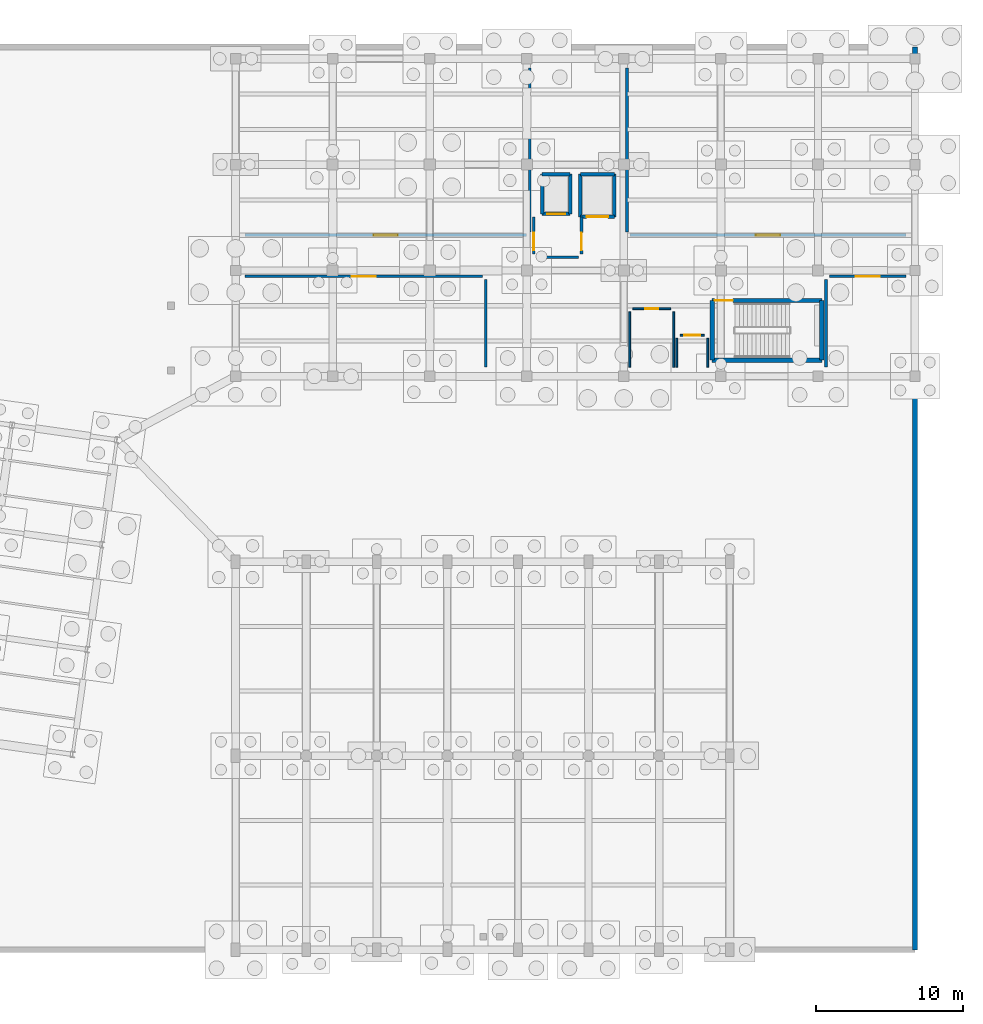
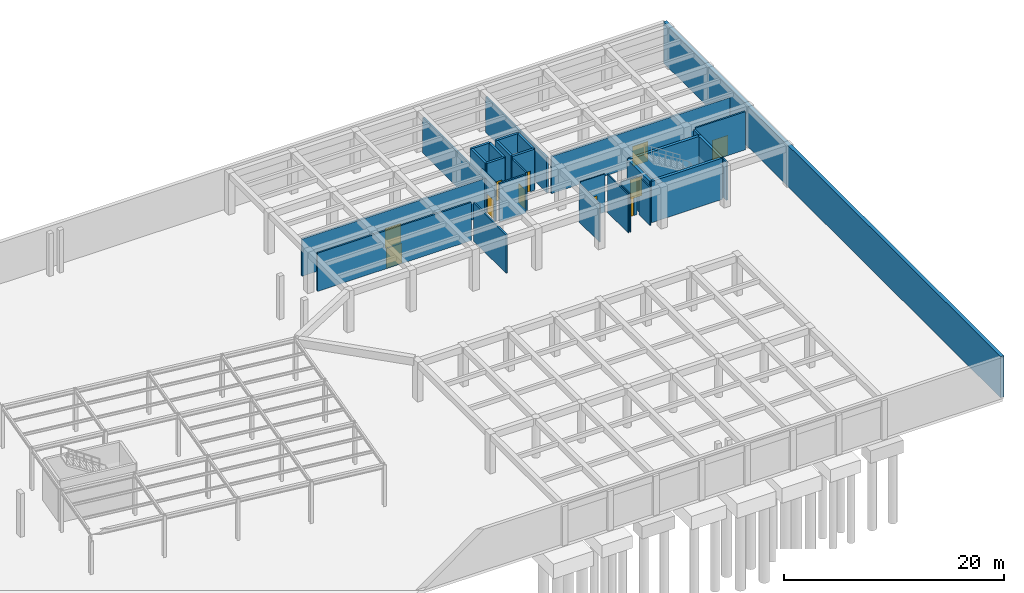
# One storey, part 27 of 34: 30 walls, 11 doors, 11 openings.
"""IFC4 building model written with IfcOpenShell, lengths in metres."""

from ifc_helpers import new_model, si_unit, direction, frame, frame_2d, origin, place, context, subcontext, project, spatial, rectangle, extrude, material, layer, layer_set, type_object, element, fill, save


model = new_model("IFC4")

# Units and contexts
model_context = context("Model", 3, precision=1e-05, world=origin(), true_north=direction((0.0, 1.0)))
body_context = subcontext(model_context, "Body", "Model", "MODEL_VIEW")
ifc_project = project(units=[si_unit("LENGTHUNIT", "METRE"), si_unit("AREAUNIT", "SQUARE_METRE"), si_unit("VOLUMEUNIT", "CUBIC_METRE"), si_unit("PLANEANGLEUNIT", "RADIAN"), si_unit("MASSUNIT", "GRAM", prefix="KILO")], contexts=[model_context])

# Site, building, storey
site_placement = place(None, origin())
site = spatial("IfcSite", under=ifc_project, at=site_placement, CompositionType="ELEMENT")
building_placement = place(site_placement, origin())
building = spatial("IfcBuilding", under=site, at=building_placement, Name="Kharisveld Research Institute", CompositionType="ELEMENT")
storey_placement = place(building_placement, frame((0.0, 0.0, -4.800048828125)))
storey = spatial("IfcBuildingStorey", under=building, at=storey_placement, Name="B1", CompositionType="ELEMENT", Elevation=-4.800048828125)

# Walls
ifc_material_1 = material(Name="Concrete C40/50", Category="concrete")
ifc_layer_1 = layer(ifc_material_1, 0.239990234375)
ifc_layer_set_1 = layer_set([ifc_layer_1], Name="WL_CORE_240")
wall_type_1 = type_object("IfcWallType", Name="WL_CORE_240", PredefinedType="SHEAR", material=ifc_layer_set_1)
wall_1_placement = place(storey_placement, frame((135.449951171875, 50.25, 0.0), z_axis=(0.0, 0.0, 1.0), x_axis=(0.0, 1.0, 0.0)))
element("IfcWall", 1, at=wall_1_placement, inside=storey, type_object=wall_type_1, Name="WL:LFT:FFL-02:B1:W", PredefinedType="SHEAR", context=body_context, shape_type="SweptSolid", body=[
    extrude(rectangle(XDim=2.699951171875, YDim=0.239990234375, at=frame_2d((1.35009765625, 0.0))), origin(), (0.0, 0.0, 1.0), 4.580078125),
])
wall_2_placement = place(storey_placement, frame((135.449951171875, 52.949951171875, 0.0), z_axis=(0.0, 0.0, 1.0), x_axis=(1.0, 0.0, 0.0)))
element("IfcWall", 2, at=wall_2_placement, inside=storey, type_object=wall_type_1, Name="WL:LFT:FFL-02:B1:N", PredefinedType="SHEAR", context=body_context, shape_type="SweptSolid", body=[
    extrude(rectangle(XDim=1.900146484375, YDim=0.239990234375, at=frame_2d((0.9501953125, 0.0))), origin(), (0.0, 0.0, 1.0), 4.580078125),
])
wall_3_placement = place(storey_placement, frame((137.35009765625, 52.949951171875, 0.0), z_axis=(0.0, 0.0, 1.0), x_axis=(0.0, -1.0, 0.0)))
element("IfcWall", 3, at=wall_3_placement, inside=storey, type_object=wall_type_1, Name="WL:LFT:FFL-02:B1:E", PredefinedType="SHEAR", context=body_context, shape_type="SweptSolid", body=[
    extrude(rectangle(XDim=2.699951171875, YDim=0.239990234375, at=frame_2d((1.35009765625, 0.0))), origin(), (0.0, 0.0, 1.0), 4.580078125),
])

# Wall, opening, door
wall_4_placement = place(storey_placement, frame((137.35009765625, 50.25, 0.0), z_axis=(0.0, 0.0, 1.0), x_axis=(-1.0, 0.0, 0.0)))
wall_4 = element("IfcWall", 4, at=wall_4_placement, inside=storey, type_object=wall_type_1, Name="WL:LFT:FFL-02:B1:S", PredefinedType="SHEAR", context=body_context, shape_type="SweptSolid", body=[
    extrude(rectangle(XDim=1.900146484375, YDim=0.239990234375, at=frame_2d((0.9501953125, 0.0))), origin(), (0.0, 0.0, 1.0), 4.580078125),
])
opening_1_placement = place(wall_4_placement, frame((0.324951171875, 0.0, 0.0)))
opening_1 = element("IfcOpeningElement", 5, at=opening_1_placement, cuts=wall_4, Name="Opening LD-02", PredefinedType="OPENING", context=body_context, shape_type="SweptSolid", body=[
    extrude(rectangle(XDim=1.25, YDim=2.199951171875, at=frame_2d((0.625, 1.10009765625))), frame((0.0, 0.1201171875, 0.0), z_axis=(0.0, -1.0, 0.0), x_axis=(1.0, 0.0, 0.0)), (0.0, 0.0, 1.0), 0.239990234375),
])
ifc_material_2 = material(Name="Flush Painted Hardwood and Anodised Aluminium", Category="wood")
door_type_1 = type_object("IfcDoorType", Name="DR_LFT_125", OperationType="SLIDING_TO_RIGHT", PredefinedType="DOOR", material=ifc_material_2)
door_1_placement = place(opening_1_placement, origin())
door_1 = element("IfcDoor", 6, at=door_1_placement, inside=storey, type_object=door_type_1, Name="FFL-02 Lift Landing Door B1", OperationType="SLIDING_TO_RIGHT", OverallHeight=2.199951171875, OverallWidth=1.25, PredefinedType="DOOR", context=body_context, shape_type="SweptSolid", body=[
    extrude(rectangle(XDim=1.25, YDim=2.199951171875, at=frame_2d((0.625, 1.10009765625))), frame((0.0, 0.02490234375, 0.0), z_axis=(0.0, -1.0, 0.0), x_axis=(1.0, 0.0, 0.0)), (0.0, 0.0, 1.0), 0.050048828125),
])
fill(opening_1, door_1)

# Walls
wall_5_placement = place(storey_placement, frame((138.050048828125, 50.050048828125, 0.0), z_axis=(0.0, 0.0, 1.0), x_axis=(0.0, 1.0, 0.0)))
element("IfcWall", 7, at=wall_5_placement, inside=storey, type_object=wall_type_1, Name="WL:LFT:GL-01:B1:W", PredefinedType="SHEAR", context=body_context, shape_type="SweptSolid", body=[
    extrude(rectangle(XDim=2.89990234375, YDim=0.239990234375, at=frame_2d((1.449951171875, 0.0))), origin(), (0.0, 0.0, 1.0), 4.580078125),
])
wall_6_placement = place(storey_placement, frame((138.050048828125, 52.949951171875, 0.0), z_axis=(0.0, 0.0, 1.0), x_axis=(1.0, 0.0, 0.0)))
element("IfcWall", 8, at=wall_6_placement, inside=storey, type_object=wall_type_1, Name="WL:LFT:GL-01:B1:N", PredefinedType="SHEAR", context=body_context, shape_type="SweptSolid", body=[
    extrude(rectangle(XDim=2.300048828125, YDim=0.239990234375, at=frame_2d((1.14990234375, 0.0))), origin(), (0.0, 0.0, 1.0), 4.580078125),
])
wall_7_placement = place(storey_placement, frame((140.35009765625, 52.949951171875, 0.0), z_axis=(0.0, 0.0, 1.0), x_axis=(0.0, -1.0, 0.0)))
element("IfcWall", 9, at=wall_7_placement, inside=storey, type_object=wall_type_1, Name="WL:LFT:GL-01:B1:E", PredefinedType="SHEAR", context=body_context, shape_type="SweptSolid", body=[
    extrude(rectangle(XDim=2.89990234375, YDim=0.239990234375, at=frame_2d((1.449951171875, 0.0))), origin(), (0.0, 0.0, 1.0), 4.580078125),
])

# Wall, opening, door
wall_8_placement = place(storey_placement, frame((140.35009765625, 50.050048828125, 0.0), z_axis=(0.0, 0.0, 1.0), x_axis=(-1.0, 0.0, 0.0)))
wall_8 = element("IfcWall", 10, at=wall_8_placement, inside=storey, type_object=wall_type_1, Name="WL:LFT:GL-01:B1:S", PredefinedType="SHEAR", context=body_context, shape_type="SweptSolid", body=[
    extrude(rectangle(XDim=2.300048828125, YDim=0.239990234375, at=frame_2d((1.14990234375, 0.0))), origin(), (0.0, 0.0, 1.0), 4.580078125),
])
opening_2_placement = place(wall_8_placement, frame((0.425048828125, 0.0, 0.0)))
opening_2 = element("IfcOpeningElement", 11, at=opening_2_placement, cuts=wall_8, Name="Opening LD-03", PredefinedType="OPENING", context=body_context, shape_type="SweptSolid", body=[
    extrude(rectangle(XDim=1.449951171875, YDim=2.300048828125, at=frame_2d((0.72509765625, 1.14990234375))), frame((0.0, 0.1201171875, 0.0), z_axis=(0.0, -1.0, 0.0), x_axis=(1.0, 0.0, 0.0)), (0.0, 0.0, 1.0), 0.239990234375),
])
ifc_material_3 = material(Name="Flush Painted Hardwood and Anodised Aluminium", Category="wood")
door_type_2 = type_object("IfcDoorType", Name="DR_LFT_145", OperationType="DOUBLE_DOOR_SLIDING", PredefinedType="DOOR", material=ifc_material_3)
door_2_placement = place(opening_2_placement, origin())
door_2 = element("IfcDoor", 12, at=door_2_placement, inside=storey, type_object=door_type_2, Name="GL-01 Lift Landing Door B1", OperationType="DOUBLE_DOOR_SLIDING", OverallHeight=2.300048828125, OverallWidth=1.449951171875, PredefinedType="DOOR", context=body_context, shape_type="SweptSolid", body=[
    extrude(rectangle(XDim=1.449951171875, YDim=2.300048828125, at=frame_2d((0.72509765625, 1.14990234375))), frame((0.0, 0.02490234375, 0.0), z_axis=(0.0, -1.0, 0.0), x_axis=(1.0, 0.0, 0.0)), (0.0, 0.0, 1.0), 0.050048828125),
])
fill(opening_2, door_2)

# Wall
ifc_material_4 = material(Name="Concrete C40/50", Category="concrete")
ifc_layer_2 = layer(ifc_material_4, 0.300048828125)
ifc_layer_set_2 = layer_set([ifc_layer_2], Name="WL_CORE_300")
wall_type_2 = type_object("IfcWallType", Name="WL_CORE_300", PredefinedType="SHEAR", material=ifc_layer_set_2)
wall_9_placement = place(storey_placement, frame((147.0, 40.300048828125, 0.0), z_axis=(0.0, 0.0, 1.0), x_axis=(0.0, 1.0, 0.0)))
element("IfcWall", 13, at=wall_9_placement, inside=storey, type_object=wall_type_2, Name="WL:STR:ST3:B1:W", PredefinedType="SHEAR", context=body_context, shape_type="SweptSolid", body=[
    extrude(rectangle(XDim=4.06005859375, YDim=0.300048828125, at=frame_2d((2.030029296875, 0.0))), origin(), (0.0, 0.0, 1.0), 4.580078125),
])

# Wall, opening, door
wall_10_placement = place(storey_placement, frame((147.0, 44.360107421875, 0.0), z_axis=(0.0, 0.0, 1.0), x_axis=(1.0, 0.0, 0.0)))
wall_10 = element("IfcWall", 14, at=wall_10_placement, inside=storey, type_object=wall_type_2, Name="WL:STR:ST3:B1:N", PredefinedType="SHEAR", context=body_context, shape_type="SweptSolid", body=[
    extrude(rectangle(XDim=7.469970703125, YDim=0.300048828125, at=frame_2d((3.73486328125, 0.0))), origin(), (0.0, 0.0, 1.0), 4.580078125),
])
opening_3_placement = place(wall_10_placement, frame((0.179931640625, 0.0, 0.0)))
opening_3 = element("IfcOpeningElement", 15, at=opening_3_placement, cuts=wall_10, Name="Opening DS-027", PredefinedType="OPENING", context=body_context, shape_type="SweptSolid", body=[
    extrude(rectangle(XDim=1.239990234375, YDim=2.14990234375, at=frame_2d((0.6201171875, 1.074951171875))), frame((0.0, 0.14990234375, 0.0), z_axis=(0.0, -1.0, 0.0), x_axis=(1.0, 0.0, 0.0)), (0.0, 0.0, 1.0), 0.300048828125),
])
ifc_material_5 = material(Name="Flush Painted Hardwood and Anodised Aluminium", Category="wood")
door_type_3 = type_object("IfcDoorType", Name="DR_FD60_124", OperationType="NOTDEFINED", PredefinedType="DOOR", material=ifc_material_5)
door_3_placement = place(opening_3_placement, origin())
door_3 = element("IfcDoor", 16, at=door_3_placement, inside=storey, type_object=door_type_3, Name="DR:STR:ST3:B1", OperationType="SINGLE_SWING_RIGHT", OverallHeight=2.14990234375, OverallWidth=1.239990234375, PredefinedType="DOOR", context=body_context, shape_type="SweptSolid", body=[
    extrude(rectangle(XDim=1.239990234375, YDim=2.14990234375, at=frame_2d((0.6201171875, 1.074951171875))), frame((0.0, 0.02490234375, 0.0), z_axis=(0.0, -1.0, 0.0), x_axis=(1.0, 0.0, 0.0)), (0.0, 0.0, 1.0), 0.050048828125),
])
fill(opening_3, door_3)

# Walls
wall_11_placement = place(storey_placement, frame((154.469970703125, 44.360107421875, 0.0), z_axis=(0.0, 0.0, 1.0), x_axis=(0.0, -1.0, 0.0)))
element("IfcWall", 17, at=wall_11_placement, inside=storey, type_object=wall_type_2, Name="WL:STR:ST3:B1:E", PredefinedType="SHEAR", context=body_context, shape_type="SweptSolid", body=[
    extrude(rectangle(XDim=4.06005859375, YDim=0.300048828125, at=frame_2d((2.030029296875, 0.0))), origin(), (0.0, 0.0, 1.0), 4.580078125),
])
wall_12_placement = place(storey_placement, frame((154.469970703125, 40.300048828125, 0.0), z_axis=(0.0, 0.0, 1.0), x_axis=(-1.0, 0.0, 0.0)))
element("IfcWall", 18, at=wall_12_placement, inside=storey, type_object=wall_type_2, Name="WL:STR:ST3:B1:S", PredefinedType="SHEAR", context=body_context, shape_type="SweptSolid", body=[
    extrude(rectangle(XDim=7.469970703125, YDim=0.300048828125, at=frame_2d((3.73486328125, 0.0))), origin(), (0.0, 0.0, 1.0), 4.580078125),
])
ifc_material_6 = material(Name="Masonry Blockwork", Category="masonry")
ifc_layer_3 = layer(ifc_material_6, 0.18505859375)
ifc_layer_set_3 = layer_set([ifc_layer_3], Name="WL_LOB_185")
wall_type_3 = type_object("IfcWallType", Name="WL_LOB_185", PredefinedType="SOLIDWALL", material=ifc_layer_set_3)
wall_13_placement = place(storey_placement, frame((135.10009765625, 47.300048828125, 0.0), z_axis=(0.0, 0.0, 1.0), x_axis=(1.0, 0.0, 0.0)))
element("IfcWall", 19, at=wall_13_placement, inside=storey, type_object=wall_type_3, Name="WL:RM:V2:B1:FFL:S", PredefinedType="SOLIDWALL", context=body_context, shape_type="SweptSolid", body=[
    extrude(rectangle(XDim=2.7998046875, YDim=0.18505859375, at=frame_2d((1.39990234375, 0.0))), origin(), (0.0, 0.0, 1.0), 4.25),
])

# Wall, opening, door
wall_14_placement = place(storey_placement, frame((138.1201171875, 47.52001953125, 0.0), z_axis=(0.0, 0.0, 1.0), x_axis=(0.0, 1.0, 0.0)))
wall_14 = element("IfcWall", 20, at=wall_14_placement, inside=storey, type_object=wall_type_3, Name="WL:RM:V2:B1:FFL:E", PredefinedType="SOLIDWALL", context=body_context, shape_type="SweptSolid", body=[
    extrude(rectangle(XDim=2.510009765625, YDim=0.18505859375, at=frame_2d((1.2548828125, 0.0))), origin(), (0.0, 0.0, 1.0), 4.25),
])
opening_4_placement = place(wall_14_placement, frame((0.25, 0.0, 0.0)))
opening_4 = element("IfcOpeningElement", 21, at=opening_4_placement, cuts=wall_14, Name="Opening DI-176", PredefinedType="OPENING", context=body_context, shape_type="SweptSolid", body=[
    extrude(rectangle(XDim=1.199951171875, YDim=2.14990234375, at=frame_2d((0.60009765625, 1.074951171875))), frame((0.0, 0.092529296875, 0.0), z_axis=(0.0, -1.0, 0.0), x_axis=(1.0, 0.0, 0.0)), (0.0, 0.0, 1.0), 0.18505859375),
])
ifc_material_7 = material(Name="Flush Painted Hardwood and Anodised Aluminium", Category="wood")
door_type_4 = type_object("IfcDoorType", Name="DR_FD120_120", OperationType="NOTDEFINED", PredefinedType="DOOR", material=ifc_material_7)
door_4_placement = place(opening_4_placement, origin())
door_4 = element("IfcDoor", 22, at=door_4_placement, inside=storey, type_object=door_type_4, Name="DR:RM:V2:B1:FFL:E", OperationType="SINGLE_SWING_RIGHT", OverallHeight=2.14990234375, OverallWidth=1.199951171875, PredefinedType="DOOR", context=body_context, shape_type="SweptSolid", body=[
    extrude(rectangle(XDim=1.199951171875, YDim=2.14990234375, at=frame_2d((0.60009765625, 1.074951171875))), frame((0.0, 0.02490234375, 0.0), z_axis=(0.0, -1.0, 0.0), x_axis=(1.0, 0.0, 0.0)), (0.0, 0.0, 1.0), 0.050048828125),
])
fill(opening_4, door_4)

wall_15_placement = place(storey_placement, frame((134.8798828125, 50.030029296875, 0.0), z_axis=(0.0, 0.0, 1.0), x_axis=(0.0, -1.0, 0.0)))
wall_15 = element("IfcWall", 23, at=wall_15_placement, inside=storey, type_object=wall_type_3, Name="WL:RM:V2:B1:FFL:W", PredefinedType="SOLIDWALL", context=body_context, shape_type="SweptSolid", body=[
    extrude(rectangle(XDim=2.510009765625, YDim=0.18505859375, at=frame_2d((1.2548828125, 0.0))), origin(), (0.0, 0.0, 1.0), 4.25),
])
opening_5_placement = place(wall_15_placement, frame((1.06005859375, 0.0, 0.0)))
opening_5 = element("IfcOpeningElement", 24, at=opening_5_placement, cuts=wall_15, Name="Opening DI-177", PredefinedType="OPENING", context=body_context, shape_type="SweptSolid", body=[
    extrude(rectangle(XDim=1.199951171875, YDim=2.14990234375, at=frame_2d((0.60009765625, 1.074951171875))), frame((0.0, 0.092529296875, 0.0), z_axis=(0.0, -1.0, 0.0), x_axis=(1.0, 0.0, 0.0)), (0.0, 0.0, 1.0), 0.18505859375),
])
door_5_placement = place(opening_5_placement, origin())
door_5 = element("IfcDoor", 25, at=door_5_placement, inside=storey, type_object=door_type_4, Name="DR:RM:V2:B1:FFL:W", OperationType="SINGLE_SWING_LEFT", OverallHeight=2.14990234375, OverallWidth=1.199951171875, PredefinedType="DOOR", context=body_context, shape_type="SweptSolid", body=[
    extrude(rectangle(XDim=1.199951171875, YDim=2.14990234375, at=frame_2d((0.60009765625, 1.074951171875))), frame((0.0, 0.02490234375, 0.0), z_axis=(0.0, -1.0, 0.0), x_axis=(1.0, 0.0, 0.0)), (0.0, 0.0, 1.0), 0.050048828125),
])
fill(opening_5, door_5)

# Wall
ifc_material_8 = material(Name="Concrete C35/45", Category="concrete")
ifc_layer_4 = layer(ifc_material_8, 0.360107421875)
ifc_layer_set_4 = layer_set([ifc_layer_4], Name="WL_RET_360")
wall_type_4 = type_object("IfcWallType", Name="WL_RET_360", PredefinedType="USERDEFINED", material=ifc_layer_set_4)
wall_16_placement = place(storey_placement, frame((160.800048828125, 61.60009765625, 0.0), z_axis=(0.0, 0.0, 1.0), x_axis=(0.0, -1.0, 0.0)))
element("IfcWall", 26, at=wall_16_placement, inside=storey, type_object=wall_type_4, Name="WL:B1:RET_EAST", ObjectType="RETAINING WALL", PredefinedType="USERDEFINED", context=body_context, shape_type="SweptSolid", body=[
    extrude(rectangle(XDim=61.400146484375, YDim=0.360107421875, at=frame_2d((30.7001953125, 0.0))), origin(), (0.0, 0.0, 1.0), 4.580078125),
])

# Wall, opening, door
ifc_material_9 = material(Name="Concrete C35/45", Category="concrete")
ifc_layer_5 = layer(ifc_material_9, 0.199951171875)
ifc_layer_set_5 = layer_set([ifc_layer_5], Name="WL_SHF_200")
wall_type_5 = type_object("IfcWallType", Name="WL_SHF_200", PredefinedType="SOLIDWALL", material=ifc_layer_set_5)
wall_17_placement = place(storey_placement, frame((115.219970703125, 48.800048828125, 0.0), z_axis=(0.0, 0.0, 1.0), x_axis=(1.0, 0.0, 0.0)))
wall_17 = element("IfcWall", 27, at=wall_17_placement, inside=storey, type_object=wall_type_5, Name="WL:RM:V2:B1:CHL:S", PredefinedType="SOLIDWALL", context=body_context, shape_type="SweptSolid", body=[
    extrude(rectangle(XDim=19.159912109375, YDim=0.199951171875, at=frame_2d((9.580078125, 0.0))), origin(), (0.0, 0.0, 1.0), 4.125),
])
opening_6_placement = place(wall_17_placement, frame((8.760009765625, 0.0, 0.0)))
opening_6 = element("IfcOpeningElement", 28, at=opening_6_placement, cuts=wall_17, Name="Opening DI-180", PredefinedType="OPENING", context=body_context, shape_type="SweptSolid", body=[
    extrude(rectangle(XDim=1.639892578125, YDim=2.199951171875, at=frame_2d((0.81982421875, 1.10009765625))), frame((0.0, 0.10009765625, 0.0), z_axis=(0.0, -1.0, 0.0), x_axis=(1.0, 0.0, 0.0)), (0.0, 0.0, 1.0), 0.199951171875),
])
ifc_material_10 = material(Name="Flush Painted Hardwood and Anodised Aluminium", Category="wood")
door_type_5 = type_object("IfcDoorType", Name="DR_FD60_164", OperationType="DOUBLE_DOOR_SINGLE_SWING", PredefinedType="DOOR", material=ifc_material_10)
door_6_placement = place(opening_6_placement, origin())
door_6 = element("IfcDoor", 29, at=door_6_placement, inside=storey, type_object=door_type_5, Name="DR:RM:V2:B1:CHL:S", OperationType="DOUBLE_DOOR_SINGLE_SWING", OverallHeight=2.199951171875, OverallWidth=1.639892578125, PredefinedType="DOOR", context=body_context, shape_type="SweptSolid", body=[
    extrude(rectangle(XDim=1.639892578125, YDim=2.199951171875, at=frame_2d((0.81982421875, 1.10009765625))), frame((0.0, 0.02490234375, 0.0), z_axis=(0.0, -1.0, 0.0), x_axis=(1.0, 0.0, 0.0)), (0.0, 0.0, 1.0), 0.050048828125),
])
fill(opening_6, door_6)

# Wall
wall_18_placement = place(storey_placement, frame((134.60009765625, 49.02001953125, 0.0), z_axis=(0.0, 0.0, 1.0), x_axis=(0.0, 1.0, 0.0)))
element("IfcWall", 30, at=wall_18_placement, inside=storey, type_object=wall_type_5, Name="WL:RM:V2:B1:CHL:E", PredefinedType="SOLIDWALL", context=body_context, shape_type="SweptSolid", body=[
    extrude(rectangle(XDim=11.159912109375, YDim=0.199951171875, at=frame_2d((5.580078125, 0.0))), origin(), (0.0, 0.0, 1.0), 3.925048828125),
])

# Wall, opening, door
wall_19_placement = place(storey_placement, frame((141.419921875, 48.800048828125, 0.0), z_axis=(0.0, 0.0, 1.0), x_axis=(1.0, 0.0, 0.0)))
wall_19 = element("IfcWall", 31, at=wall_19_placement, inside=storey, type_object=wall_type_5, Name="WL:RM:V2:B1:NEU:S", PredefinedType="SOLIDWALL", context=body_context, shape_type="SweptSolid", body=[
    extrude(rectangle(XDim=18.760009765625, YDim=0.199951171875, at=frame_2d((9.3798828125, 0.0))), origin(), (0.0, 0.0, 1.0), 4.125),
])
opening_7_placement = place(wall_19_placement, frame((8.56005859375, 0.0, 0.0)))
opening_7 = element("IfcOpeningElement", 32, at=opening_7_placement, cuts=wall_19, Name="Opening DI-181", PredefinedType="OPENING", context=body_context, shape_type="SweptSolid", body=[
    extrude(rectangle(XDim=1.639892578125, YDim=2.199951171875, at=frame_2d((0.81982421875, 1.10009765625))), frame((0.0, 0.10009765625, 0.0), z_axis=(0.0, -1.0, 0.0), x_axis=(1.0, 0.0, 0.0)), (0.0, 0.0, 1.0), 0.199951171875),
])
door_7_placement = place(opening_7_placement, origin())
door_7 = element("IfcDoor", 33, at=door_7_placement, inside=storey, type_object=door_type_5, Name="DR:RM:V2:B1:NEU:S", OperationType="DOUBLE_DOOR_SINGLE_SWING", OverallHeight=2.199951171875, OverallWidth=1.639892578125, PredefinedType="DOOR", context=body_context, shape_type="SweptSolid", body=[
    extrude(rectangle(XDim=1.639892578125, YDim=2.199951171875, at=frame_2d((0.81982421875, 1.10009765625))), frame((0.0, 0.02490234375, 0.0), z_axis=(0.0, -1.0, 0.0), x_axis=(1.0, 0.0, 0.0)), (0.0, 0.0, 1.0), 0.050048828125),
])
fill(opening_7, door_7)

# Walls
wall_20_placement = place(storey_placement, frame((141.199951171875, 60.179931640625, 0.0), z_axis=(0.0, 0.0, 1.0), x_axis=(0.0, -1.0, 0.0)))
element("IfcWall", 34, at=wall_20_placement, inside=storey, type_object=wall_type_5, Name="WL:RM:V2:B1:NEU:W", PredefinedType="SOLIDWALL", context=body_context, shape_type="SweptSolid", body=[
    extrude(rectangle(XDim=11.159912109375, YDim=0.199951171875, at=frame_2d((5.580078125, 0.0))), origin(), (0.0, 0.0, 1.0), 3.925048828125),
])
ifc_material_11 = material(Name="Masonry Blockwork", Category="masonry")
ifc_layer_6 = layer(ifc_material_11, 0.175048828125)
ifc_layer_set_6 = layer_set([ifc_layer_6], Name="WL_STR_175")
wall_type_6 = type_object("IfcWallType", Name="WL_STR_175", PredefinedType="SOLIDWALL", material=ifc_layer_set_6)
wall_21_placement = place(storey_placement, frame((131.60009765625, 39.820068359375, 0.0), z_axis=(0.0, 0.0, 1.0), x_axis=(0.0, 1.0, 0.0)))
element("IfcWall", 35, at=wall_21_placement, inside=storey, type_object=wall_type_6, Name="WL:RM:V2:B1:STR:E", PredefinedType="SOLIDWALL", context=body_context, shape_type="SweptSolid", body=[
    extrude(rectangle(XDim=5.9599609375, YDim=0.175048828125, at=frame_2d((2.97998046875, 0.0))), origin(), (0.0, 0.0, 1.0), 4.25),
])

# Wall, opening, door
wall_22_placement = place(storey_placement, frame((131.3798828125, 46.0, 0.0), z_axis=(0.0, 0.0, 1.0), x_axis=(-1.0, 0.0, 0.0)))
wall_22 = element("IfcWall", 36, at=wall_22_placement, inside=storey, type_object=wall_type_6, Name="WL:RM:V2:B1:STR:N", PredefinedType="SOLIDWALL", context=body_context, shape_type="SweptSolid", body=[
    extrude(rectangle(XDim=16.159912109375, YDim=0.175048828125, at=frame_2d((8.080078125, 0.0))), origin(), (0.0, 0.0, 1.0), 4.25),
])
opening_8_placement = place(wall_22_placement, frame((7.260009765625, 0.0, 0.0)))
opening_8 = element("IfcOpeningElement", 37, at=opening_8_placement, cuts=wall_22, Name="Opening DI-182", PredefinedType="OPENING", context=body_context, shape_type="SweptSolid", body=[
    extrude(rectangle(XDim=1.639892578125, YDim=2.199951171875, at=frame_2d((0.81982421875, 1.10009765625))), frame((0.0, 0.08740234375, 0.0), z_axis=(0.0, -1.0, 0.0), x_axis=(1.0, 0.0, 0.0)), (0.0, 0.0, 1.0), 0.175048828125),
])
door_8_placement = place(opening_8_placement, origin())
door_8 = element("IfcDoor", 38, at=door_8_placement, inside=storey, type_object=door_type_5, Name="DR:RM:V2:B1:STR:N", OperationType="DOUBLE_DOOR_SINGLE_SWING", OverallHeight=2.199951171875, OverallWidth=1.639892578125, PredefinedType="DOOR", context=body_context, shape_type="SweptSolid", body=[
    extrude(rectangle(XDim=1.639892578125, YDim=2.199951171875, at=frame_2d((0.81982421875, 1.10009765625))), frame((0.0, 0.02490234375, 0.0), z_axis=(0.0, -1.0, 0.0), x_axis=(1.0, 0.0, 0.0)), (0.0, 0.0, 1.0), 0.050048828125),
])
fill(opening_8, door_8)

wall_23_placement = place(storey_placement, frame((160.179931640625, 46.0, 0.0), z_axis=(0.0, 0.0, 1.0), x_axis=(-1.0, 0.0, 0.0)))
wall_23 = element("IfcWall", 39, at=wall_23_placement, inside=storey, type_object=wall_type_6, Name="WL:RM:V2:B1:GAS:N", PredefinedType="SOLIDWALL", context=body_context, shape_type="SweptSolid", body=[
    extrude(rectangle(XDim=5.2099609375, YDim=0.175048828125, at=frame_2d((2.60498046875, 0.0))), origin(), (0.0, 0.0, 1.0), 4.25),
])
opening_9_placement = place(wall_23_placement, frame((1.784912109375, 0.0, 0.0)))
opening_9 = element("IfcOpeningElement", 40, at=opening_9_placement, cuts=wall_23, Name="Opening DI-183", PredefinedType="OPENING", context=body_context, shape_type="SweptSolid", body=[
    extrude(rectangle(XDim=1.639892578125, YDim=2.199951171875, at=frame_2d((0.81982421875, 1.10009765625))), frame((0.0, 0.08740234375, 0.0), z_axis=(0.0, -1.0, 0.0), x_axis=(1.0, 0.0, 0.0)), (0.0, 0.0, 1.0), 0.175048828125),
])
door_9_placement = place(opening_9_placement, origin())
door_9 = element("IfcDoor", 41, at=door_9_placement, inside=storey, type_object=door_type_5, Name="DR:RM:V2:B1:GAS:N", OperationType="DOUBLE_DOOR_SINGLE_SWING", OverallHeight=2.199951171875, OverallWidth=1.639892578125, PredefinedType="DOOR", context=body_context, shape_type="SweptSolid", body=[
    extrude(rectangle(XDim=1.639892578125, YDim=2.199951171875, at=frame_2d((0.81982421875, 1.10009765625))), frame((0.0, 0.02490234375, 0.0), z_axis=(0.0, -1.0, 0.0), x_axis=(1.0, 0.0, 0.0)), (0.0, 0.0, 1.0), 0.050048828125),
])
fill(opening_9, door_9)

# Walls
wall_24_placement = place(storey_placement, frame((154.75, 45.780029296875, 0.0), z_axis=(0.0, 0.0, 1.0), x_axis=(0.0, -1.0, 0.0)))
element("IfcWall", 42, at=wall_24_placement, inside=storey, type_object=wall_type_6, Name="WL:RM:V2:B1:GAS:W", PredefinedType="SOLIDWALL", context=body_context, shape_type="SweptSolid", body=[
    extrude(rectangle(XDim=5.9599609375, YDim=0.175048828125, at=frame_2d((2.97998046875, 0.0))), origin(), (0.0, 0.0, 1.0), 4.25),
])
ifc_material_12 = material(Name="Moisture-Resistant Partition", Category="mineral")
ifc_layer_7 = layer(ifc_material_12, 0.114990234375)
ifc_layer_set_7 = layer_set([ifc_layer_7], Name="WL_WC_115")
wall_type_7 = type_object("IfcWallType", Name="WL_WC_115", PredefinedType="PARTITIONING", material=ifc_layer_set_7)
wall_25_placement = place(storey_placement, frame((144.39990234375, 39.820068359375, 0.0), z_axis=(0.0, 0.0, 1.0), x_axis=(0.0, 1.0, 0.0)))
element("IfcWall", 43, at=wall_25_placement, inside=storey, type_object=wall_type_7, Name="WL:RM:V2:B1:WCM:E", PredefinedType="PARTITIONING", context=body_context, shape_type="SweptSolid", body=[
    extrude(rectangle(XDim=3.760009765625, YDim=0.114990234375, at=frame_2d((1.8798828125, 0.0))), origin(), (0.0, 0.0, 1.0), 4.25),
])

# Wall, opening, door
wall_26_placement = place(storey_placement, frame((144.179931640625, 43.800048828125, 0.0), z_axis=(0.0, 0.0, 1.0), x_axis=(-1.0, 0.0, 0.0)))
wall_26 = element("IfcWall", 44, at=wall_26_placement, inside=storey, type_object=wall_type_7, Name="WL:RM:V2:B1:WCM:N", PredefinedType="PARTITIONING", context=body_context, shape_type="SweptSolid", body=[
    extrude(rectangle(XDim=2.559814453125, YDim=0.114990234375, at=frame_2d((1.27978515625, 0.0))), origin(), (0.0, 0.0, 1.0), 4.25),
])
opening_10_placement = place(wall_26_placement, frame((0.830078125, 0.0, 0.0)))
opening_10 = element("IfcOpeningElement", 45, at=opening_10_placement, cuts=wall_26, Name="Opening DI-178", PredefinedType="OPENING", context=body_context, shape_type="SweptSolid", body=[
    extrude(rectangle(XDim=0.89990234375, YDim=2.10009765625, at=frame_2d((0.449951171875, 1.050048828125))), frame((0.0, 0.0576171875, 0.0), z_axis=(0.0, -1.0, 0.0), x_axis=(1.0, 0.0, 0.0)), (0.0, 0.0, 1.0), 0.114990234375),
])
ifc_material_13 = material(Name="Flush Painted Hardwood and Anodised Aluminium", Category="wood")
door_type_6 = type_object("IfcDoorType", Name="DR_WC_090", OperationType="NOTDEFINED", PredefinedType="DOOR", material=ifc_material_13)
door_10_placement = place(opening_10_placement, origin())
door_10 = element("IfcDoor", 46, at=door_10_placement, inside=storey, type_object=door_type_6, Name="DR:RM:V2:B1:WCM:N", OperationType="SINGLE_SWING_RIGHT", OverallHeight=2.10009765625, OverallWidth=0.89990234375, PredefinedType="DOOR", context=body_context, shape_type="SweptSolid", body=[
    extrude(rectangle(XDim=0.89990234375, YDim=2.10009765625, at=frame_2d((0.449951171875, 1.050048828125))), frame((0.0, 0.02490234375, 0.0), z_axis=(0.0, -1.0, 0.0), x_axis=(1.0, 0.0, 0.0)), (0.0, 0.0, 1.0), 0.050048828125),
])
fill(opening_10, door_10)

# Walls
wall_27_placement = place(storey_placement, frame((141.39990234375, 43.580078125, 0.0), z_axis=(0.0, 0.0, 1.0), x_axis=(0.0, -1.0, 0.0)))
element("IfcWall", 47, at=wall_27_placement, inside=storey, type_object=wall_type_7, Name="WL:RM:V2:B1:WCM:W", PredefinedType="PARTITIONING", context=body_context, shape_type="SweptSolid", body=[
    extrude(rectangle(XDim=3.760009765625, YDim=0.114990234375, at=frame_2d((1.8798828125, 0.0))), origin(), (0.0, 0.0, 1.0), 4.25),
])
wall_28_placement = place(storey_placement, frame((146.699951171875, 39.820068359375, 0.0), z_axis=(0.0, 0.0, 1.0), x_axis=(0.0, 1.0, 0.0)))
element("IfcWall", 48, at=wall_28_placement, inside=storey, type_object=wall_type_7, Name="WL:RM:V2:B1:WCA:E", PredefinedType="PARTITIONING", context=body_context, shape_type="SweptSolid", body=[
    extrude(rectangle(XDim=1.9599609375, YDim=0.114990234375, at=frame_2d((0.97998046875, 0.0))), origin(), (0.0, 0.0, 1.0), 4.25),
])

# Wall, opening, door
wall_29_placement = place(storey_placement, frame((146.47998046875, 42.0, 0.0), z_axis=(0.0, 0.0, 1.0), x_axis=(-1.0, 0.0, 0.0)))
wall_29 = element("IfcWall", 49, at=wall_29_placement, inside=storey, type_object=wall_type_7, Name="WL:RM:V2:B1:WCA:N", PredefinedType="PARTITIONING", context=body_context, shape_type="SweptSolid", body=[
    extrude(rectangle(XDim=1.659912109375, YDim=0.114990234375, at=frame_2d((0.830078125, 0.0))), origin(), (0.0, 0.0, 1.0), 4.25),
])
opening_11_placement = place(wall_29_placement, frame((0.300048828125, 0.0, 0.0)))
opening_11 = element("IfcOpeningElement", 50, at=opening_11_placement, cuts=wall_29, Name="Opening DI-179", PredefinedType="OPENING", context=body_context, shape_type="SweptSolid", body=[
    extrude(rectangle(XDim=1.06005859375, YDim=2.1201171875, at=frame_2d((0.530029296875, 1.06005859375))), frame((0.0, 0.0576171875, 0.0), z_axis=(0.0, -1.0, 0.0), x_axis=(1.0, 0.0, 0.0)), (0.0, 0.0, 1.0), 0.114990234375),
])
ifc_material_14 = material(Name="Flush Painted Hardwood and Anodised Aluminium", Category="wood")
door_type_7 = type_object("IfcDoorType", Name="DR_WCA_106", OperationType="NOTDEFINED", PredefinedType="DOOR", material=ifc_material_14)
door_11_placement = place(opening_11_placement, origin())
door_11 = element("IfcDoor", 51, at=door_11_placement, inside=storey, type_object=door_type_7, Name="DR:RM:V2:B1:WCA:N", OperationType="SINGLE_SWING_LEFT", OverallHeight=2.1201171875, OverallWidth=1.06005859375, PredefinedType="DOOR", context=body_context, shape_type="SweptSolid", body=[
    extrude(rectangle(XDim=1.06005859375, YDim=2.1201171875, at=frame_2d((0.530029296875, 1.06005859375))), frame((0.0, 0.02490234375, 0.0), z_axis=(0.0, -1.0, 0.0), x_axis=(1.0, 0.0, 0.0)), (0.0, 0.0, 1.0), 0.050048828125),
])
fill(opening_11, door_11)

# Wall
wall_30_placement = place(storey_placement, frame((144.60009765625, 41.780029296875, 0.0), z_axis=(0.0, 0.0, 1.0), x_axis=(0.0, -1.0, 0.0)))
element("IfcWall", 52, at=wall_30_placement, inside=storey, type_object=wall_type_7, Name="WL:RM:V2:B1:WCA:W", PredefinedType="PARTITIONING", context=body_context, shape_type="SweptSolid", body=[
    extrude(rectangle(XDim=1.9599609375, YDim=0.114990234375, at=frame_2d((0.97998046875, 0.0))), origin(), (0.0, 0.0, 1.0), 4.25),
])

save(model, "model.ifc")
